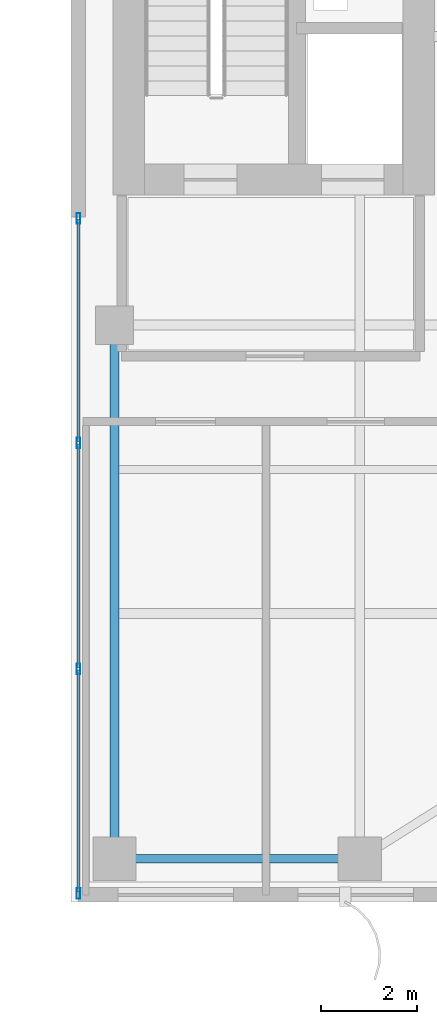
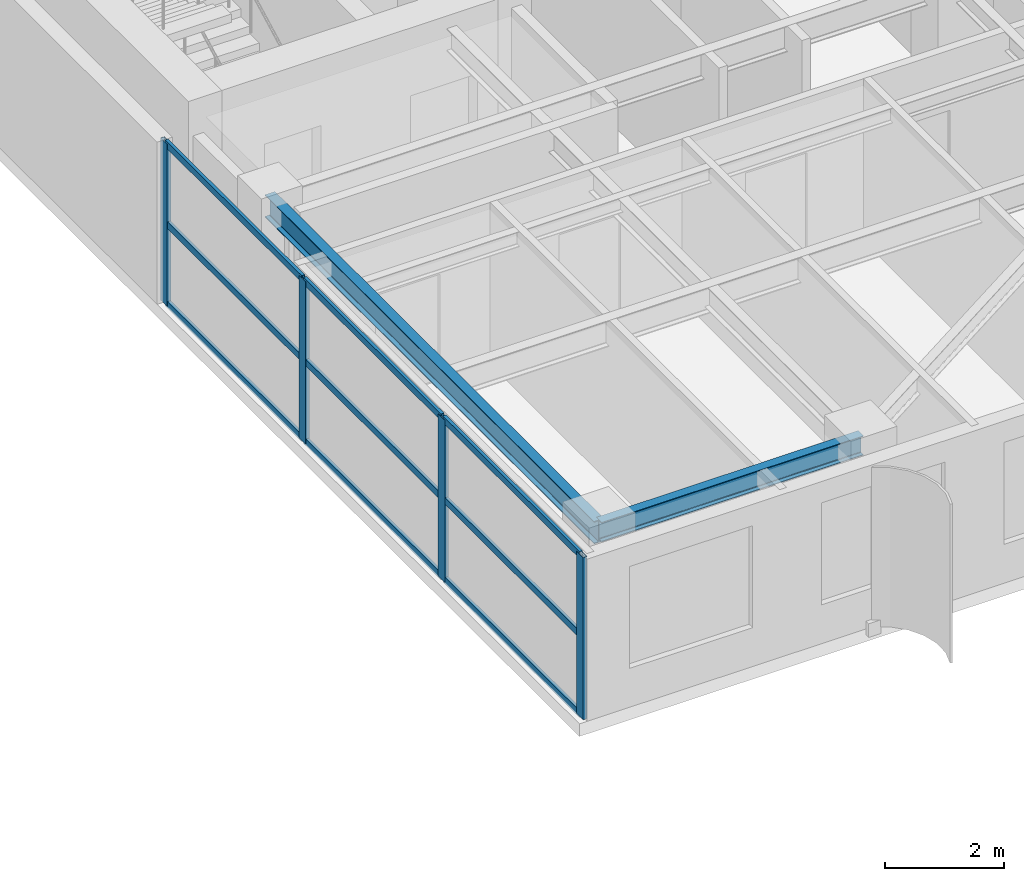
# One storey, part 5 of 22: 13 members, 2 beams, 1 element without a shape of its own.
"""IFC4 building model written with IfcOpenShell, lengths in metres."""

from ifc_helpers import new_model, si_unit, direction, frame, origin, origin_2d, place, context, subcontext, project, spatial, hollow_rectangle, i_section, extrude, source, transform, mapped, material, layer, layer_set, material_profile, profile_set, type_object, element, aggregate, save


model = new_model("IFC4")

# Units and contexts
model_context = context("Model", 3, precision=1e-05, world=origin(), true_north=direction((0.0, 1.0)))
body_context = subcontext(model_context, "Body", "Model", "MODEL_VIEW")
ifc_project = project(units=[si_unit("LENGTHUNIT", "METRE"), si_unit("AREAUNIT", "SQUARE_METRE"), si_unit("VOLUMEUNIT", "CUBIC_METRE"), si_unit("PLANEANGLEUNIT", "RADIAN"), si_unit("MASSUNIT", "GRAM", prefix="KILO")], contexts=[model_context])

# Site, building, storey
site_placement = place(None, origin())
site = spatial("IfcSite", under=ifc_project, at=site_placement, CompositionType="ELEMENT")
building_placement = place(site_placement, origin())
building = spatial("IfcBuilding", under=site, at=building_placement, Name="Khoralis Quay Care Tower", CompositionType="ELEMENT")
storey_placement = place(building_placement, frame((0.0, 0.0, 188.10009765625)))
storey = spatial("IfcBuildingStorey", under=building, at=storey_placement, Name="L49", CompositionType="ELEMENT", Elevation=188.10009765625)

# Beams
ifc_material_1 = material(Name="Steel S355", Category="steel")
ifc_material_profile_1 = material_profile(ifc_material_1, i_section(OverallWidth=0.179931640625, OverallDepth=0.39990234375, WebThickness=0.008544921875, FlangeThickness=0.013427734375, FilletRadius=0.02099609375, at=origin_2d()), Name="Steel S355")
ifc_profile_set_1 = profile_set([ifc_material_profile_1], Name="Steel S355")
beam_type_1 = type_object("IfcBeamType", Name="BM-IPE400", PredefinedType="SPANDREL", material=ifc_profile_set_1)
shared_shape_1 = source(origin(), body_context, "Body", "SweptSolid", [
    extrude(i_section(OverallWidth=0.179931640625, OverallDepth=0.39990234375, WebThickness=0.008544921875, FlangeThickness=0.013427734375, FilletRadius=0.02099609375, at=origin_2d()), origin(), (0.0, 0.0, 1.0), 5.10009765625),
])
beam_1_placement = place(storey_placement, frame((30.89990234375, 0.89990234375, 3.139892578125), z_axis=(1.0, 0.0, 0.0), x_axis=(0.0, 1.0, 0.0)))
element("IfcBeam", 1, at=beam_1_placement, inside=storey, type_object=beam_type_1, Name="BM-TSP-L49-02", PredefinedType="SPANDREL", context=body_context, shape_type="MappedRepresentation", body=[
    mapped(shared_shape_1, transform((0.0, 0.0, 0.0), scale=1.0)),
])
ifc_material_profile_2 = material_profile(ifc_material_1, i_section(OverallWidth=0.19189453125, OverallDepth=0.462890625, WebThickness=0.010498046875, FlangeThickness=0.017578125, FilletRadius=0.014892578125, at=origin_2d()), Name="Steel S355")
ifc_profile_set_2 = profile_set([ifc_material_profile_2], Name="Steel S355")
beam_type_2 = type_object("IfcBeamType", Name="BM-W460X89", PredefinedType="BEAM", material=ifc_profile_set_2)
shared_shape_2 = source(origin(), body_context, "Body", "SweptSolid", [
    extrude(i_section(OverallWidth=0.19189453125, OverallDepth=0.462890625, WebThickness=0.010498046875, FlangeThickness=0.017578125, FilletRadius=0.014892578125, at=origin_2d()), origin(), (0.0, 0.0, 1.0), 11.10009765625),
])
beam_2_placement = place(storey_placement, frame((30.89990234375, 0.89990234375, 3.1083984375), z_axis=(0.0, 1.0, 0.0), x_axis=(-1.0, 0.0, 0.0)))
element("IfcBeam", 2, at=beam_2_placement, inside=storey, type_object=beam_type_2, Name="BM-TGYS-L49-309", PredefinedType="BEAM", context=body_context, shape_type="MappedRepresentation", body=[
    mapped(shared_shape_2, transform((0.0, 0.0, 0.0), scale=1.0)),
])

# Curtain wall, members
ifc_material_2 = material(Name="Pale anodised aluminium", Category="aluminium")
ifc_layer = layer(ifc_material_2, 0.18994140625)
ifc_layer_set = layer_set([ifc_layer], Name="Pale anodised aluminium")
curtain_wall_type = type_object("IfcCurtainWallType", Name="CW-SYS-PORTAL", PredefinedType="NOTDEFINED", material=ifc_layer_set)
curtain_wall_placement = place(storey_placement, origin())
curtain_wall = element("IfcCurtainWall", 3, at=curtain_wall_placement, inside=storey, type_object=curtain_wall_type, Name="L49 Unitised Curtain Wall CW-VP-L49-P2-S", PredefinedType="NOTDEFINED")
ifc_material_profile_3 = material_profile(ifc_material_2, hollow_rectangle(XDim=0.06005859375, YDim=0.139892578125, WallThickness=0.00390625, at=origin_2d()), Name="Pale anodised aluminium")
ifc_profile_set_3 = profile_set([ifc_material_profile_3], Name="Pale anodised aluminium")
member_type_1 = type_object("IfcMemberType", Name="CW-TRN-140", PredefinedType="USERDEFINED", material=ifc_profile_set_3)
shared_shape_3 = source(origin(), body_context, "Body", "SweptSolid", [
    extrude(hollow_rectangle(XDim=0.06005859375, YDim=0.139892578125, WallThickness=0.00390625, at=origin_2d()), origin(), (0.0, 0.0, 1.0), 4.610107421875),
])
member_1_placement = place(storey_placement, frame((30.14990234375, 0.2099609375, 0.02978515625), z_axis=(0.0, 1.0, 0.0), x_axis=(-1.0, 0.0, 0.0)))
member_1 = element("IfcMember", 4, at=member_1_placement, type_object=member_type_1, Name="CW4 transom 1.1", ObjectType="TRANSOM", PredefinedType="USERDEFINED", context=body_context, shape_type="MappedRepresentation", body=[
    mapped(shared_shape_3, transform((0.0, 0.0, 0.0), scale=1.0)),
])
member_2_placement = place(storey_placement, frame((30.14990234375, 0.2099609375, 1.669921875), z_axis=(0.0, 1.0, 0.0), x_axis=(-1.0, 0.0, 0.0)))
member_2 = element("IfcMember", 5, at=member_2_placement, type_object=member_type_1, Name="CW4 transom 1.2", ObjectType="TRANSOM", PredefinedType="USERDEFINED", context=body_context, shape_type="MappedRepresentation", body=[
    mapped(shared_shape_3, transform((0.0, 0.0, 0.0), scale=1.0)),
])
member_3_placement = place(storey_placement, frame((30.14990234375, 0.2099609375, 3.309814453125), z_axis=(0.0, 1.0, 0.0), x_axis=(-1.0, 0.0, 0.0)))
member_3 = element("IfcMember", 6, at=member_3_placement, type_object=member_type_1, Name="CW4 transom 1.3", ObjectType="TRANSOM", PredefinedType="USERDEFINED", context=body_context, shape_type="MappedRepresentation", body=[
    mapped(shared_shape_3, transform((0.0, 0.0, 0.0), scale=1.0)),
])
shared_shape_4 = source(origin(), body_context, "Body", "SweptSolid", [
    extrude(hollow_rectangle(XDim=0.06005859375, YDim=0.139892578125, WallThickness=0.00390625, at=origin_2d()), origin(), (0.0, 0.0, 1.0), 4.64013671875),
])
member_4_placement = place(storey_placement, frame((30.14990234375, 4.8798828125, 0.02978515625), z_axis=(0.0, 1.0, 0.0), x_axis=(-1.0, 0.0, 0.0)))
member_4 = element("IfcMember", 7, at=member_4_placement, type_object=member_type_1, Name="CW4 transom 2.1", ObjectType="TRANSOM", PredefinedType="USERDEFINED", context=body_context, shape_type="MappedRepresentation", body=[
    mapped(shared_shape_4, transform((0.0, 0.0, 0.0), scale=1.0)),
])
member_5_placement = place(storey_placement, frame((30.14990234375, 4.8798828125, 1.669921875), z_axis=(0.0, 1.0, 0.0), x_axis=(-1.0, 0.0, 0.0)))
member_5 = element("IfcMember", 8, at=member_5_placement, type_object=member_type_1, Name="CW4 transom 2.2", ObjectType="TRANSOM", PredefinedType="USERDEFINED", context=body_context, shape_type="MappedRepresentation", body=[
    mapped(shared_shape_4, transform((0.0, 0.0, 0.0), scale=1.0)),
])
member_6_placement = place(storey_placement, frame((30.14990234375, 4.8798828125, 3.309814453125), z_axis=(0.0, 1.0, 0.0), x_axis=(-1.0, 0.0, 0.0)))
member_6 = element("IfcMember", 9, at=member_6_placement, type_object=member_type_1, Name="CW4 transom 2.3", ObjectType="TRANSOM", PredefinedType="USERDEFINED", context=body_context, shape_type="MappedRepresentation", body=[
    mapped(shared_shape_4, transform((0.0, 0.0, 0.0), scale=1.0)),
])
shared_shape_5 = source(origin(), body_context, "Body", "SweptSolid", [
    extrude(hollow_rectangle(XDim=0.06005859375, YDim=0.139892578125, WallThickness=0.00390625, at=origin_2d()), origin(), (0.0, 0.0, 1.0), 4.60986328125),
])
member_7_placement = place(storey_placement, frame((30.14990234375, 9.580078125, 0.02978515625), z_axis=(0.0, 1.0, 0.0), x_axis=(-1.0, 0.0, 0.0)))
member_7 = element("IfcMember", 10, at=member_7_placement, type_object=member_type_1, Name="CW4 transom 3.1", ObjectType="TRANSOM", PredefinedType="USERDEFINED", context=body_context, shape_type="MappedRepresentation", body=[
    mapped(shared_shape_5, transform((0.0, 0.0, 0.0), scale=1.0)),
])
member_8_placement = place(storey_placement, frame((30.14990234375, 9.580078125, 1.669921875), z_axis=(0.0, 1.0, 0.0), x_axis=(-1.0, 0.0, 0.0)))
member_8 = element("IfcMember", 11, at=member_8_placement, type_object=member_type_1, Name="CW4 transom 3.2", ObjectType="TRANSOM", PredefinedType="USERDEFINED", context=body_context, shape_type="MappedRepresentation", body=[
    mapped(shared_shape_5, transform((0.0, 0.0, 0.0), scale=1.0)),
])
member_9_placement = place(storey_placement, frame((30.14990234375, 9.580078125, 3.309814453125), z_axis=(0.0, 1.0, 0.0), x_axis=(-1.0, 0.0, 0.0)))
member_9 = element("IfcMember", 12, at=member_9_placement, type_object=member_type_1, Name="CW4 transom 3.3", ObjectType="TRANSOM", PredefinedType="USERDEFINED", context=body_context, shape_type="MappedRepresentation", body=[
    mapped(shared_shape_5, transform((0.0, 0.0, 0.0), scale=1.0)),
])
ifc_material_profile_4 = material_profile(ifc_material_2, hollow_rectangle(XDim=0.074951171875, YDim=0.219970703125, WallThickness=0.00390625, at=origin_2d()), Name="Pale anodised aluminium")
ifc_profile_set_4 = profile_set([ifc_material_profile_4], Name="Pale anodised aluminium")
member_type_2 = type_object("IfcMemberType", Name="CW-MUL-220", PredefinedType="MULLION", material=ifc_profile_set_4)
shared_shape_6 = source(origin(), body_context, "Body", "SweptSolid", [
    extrude(hollow_rectangle(XDim=0.074951171875, YDim=0.219970703125, WallThickness=0.00390625, at=origin_2d()), origin(), (0.0, 0.0, 1.0), 3.33984375),
])
member_10_placement = place(storey_placement, frame((30.14990234375, 0.179931640625, 0.0), z_axis=(0.0, 0.0, 1.0), x_axis=(-1.0, 0.0, 0.0)))
member_10 = element("IfcMember", 13, at=member_10_placement, type_object=member_type_2, Name="CW4 mullion 1", PredefinedType="MULLION", context=body_context, shape_type="MappedRepresentation", body=[
    mapped(shared_shape_6, transform((0.0, 0.0, 0.0), scale=1.0)),
])
member_11_placement = place(storey_placement, frame((30.14990234375, 4.85009765625, 0.0), z_axis=(0.0, 0.0, 1.0), x_axis=(-1.0, 0.0, 0.0)))
member_11 = element("IfcMember", 14, at=member_11_placement, type_object=member_type_2, Name="CW4 mullion 2", PredefinedType="MULLION", context=body_context, shape_type="MappedRepresentation", body=[
    mapped(shared_shape_6, transform((0.0, 0.0, 0.0), scale=1.0)),
])
member_12_placement = place(storey_placement, frame((30.14990234375, 9.550048828125, 0.0), z_axis=(0.0, 0.0, 1.0), x_axis=(-1.0, 0.0, 0.0)))
member_12 = element("IfcMember", 15, at=member_12_placement, type_object=member_type_2, Name="CW4 mullion 3", PredefinedType="MULLION", context=body_context, shape_type="MappedRepresentation", body=[
    mapped(shared_shape_6, transform((0.0, 0.0, 0.0), scale=1.0)),
])
member_13_placement = place(storey_placement, frame((30.14990234375, 14.219970703125, 0.0), z_axis=(0.0, 0.0, 1.0), x_axis=(-1.0, 0.0, 0.0)))
member_13 = element("IfcMember", 16, at=member_13_placement, type_object=member_type_2, Name="CW4 mullion 4", PredefinedType="MULLION", context=body_context, shape_type="MappedRepresentation", body=[
    mapped(shared_shape_6, transform((0.0, 0.0, 0.0), scale=1.0)),
])
aggregate(curtain_wall, [member_10, member_11, member_12, member_13, member_1, member_2, member_3, member_4, member_5, member_6, member_7, member_8, member_9])

save(model, "model.ifc")
